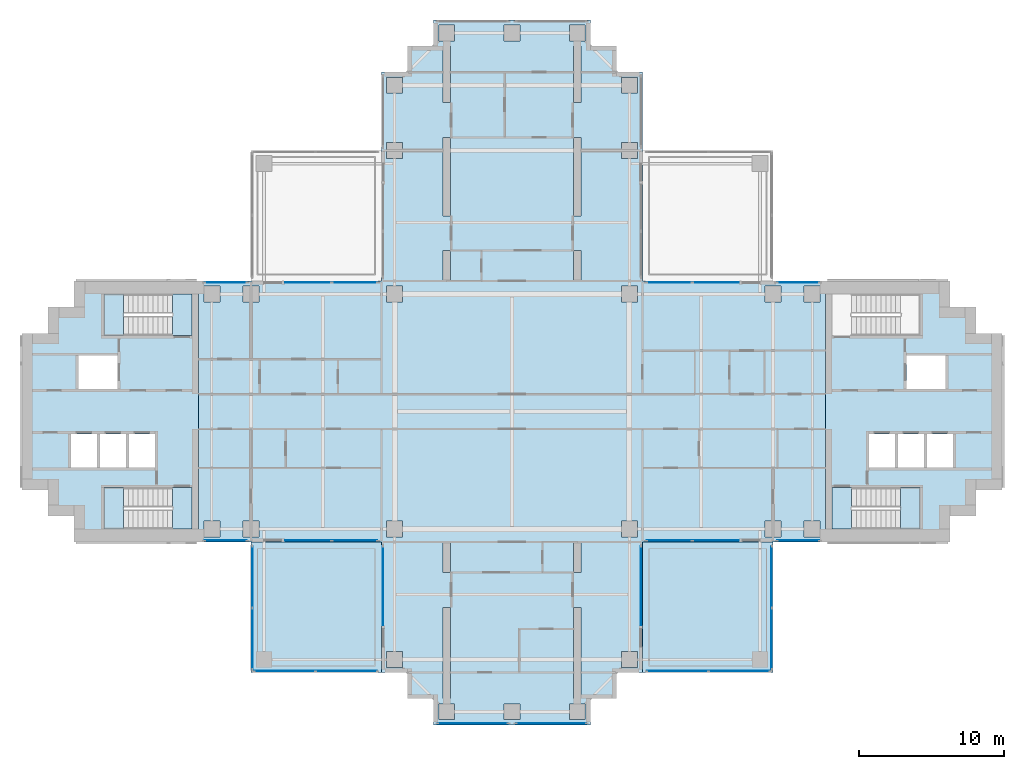
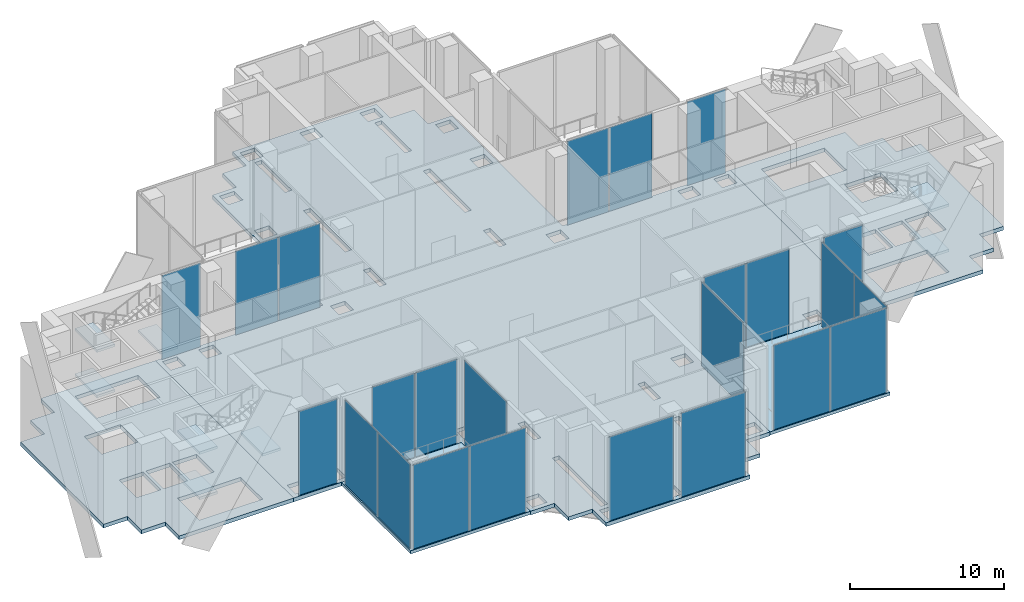
# One storey, part 7 of 17: 24 plates, 14 slabs, 19 elements without a shape of their own.
"""IFC4 building model written with IfcOpenShell, lengths in metres."""

from ifc_helpers import new_model, si_unit, direction, frame, origin, origin_2d, place, context, subcontext, project, spatial, polyline, rectangle, outline, extrude, material, layer, layer_set, type_object, element, aggregate, save


model = new_model("IFC4")

# Units and contexts
model_context = context("Model", 3, precision=1e-05, world=origin(), true_north=direction((0.0, 1.0)))
body_context = subcontext(model_context, "Body", "Model", "MODEL_VIEW")
ifc_project = project(units=[si_unit("LENGTHUNIT", "METRE"), si_unit("AREAUNIT", "SQUARE_METRE"), si_unit("VOLUMEUNIT", "CUBIC_METRE"), si_unit("PLANEANGLEUNIT", "RADIAN"), si_unit("MASSUNIT", "GRAM", prefix="KILO")], contexts=[model_context])

# Site, building, storey
site_placement = place(None, origin())
site = spatial("IfcSite", under=ifc_project, at=site_placement, CompositionType="ELEMENT")
building_placement = place(site_placement, origin())
building = spatial("IfcBuilding", under=site, at=building_placement, Name="Perihelion Cross Residences", CompositionType="ELEMENT")
storey_placement = place(building_placement, frame((0.0, 0.0, 154.89990234375)))
storey = spatial("IfcBuildingStorey", under=building, at=storey_placement, Name="L38", CompositionType="ELEMENT", Elevation=154.89990234375)

# Curtain wall, plate
ifc_material_1 = material(Name="Bronze anodised aluminium, tinted glazing", Category="aluminium")
curtain_wall_type_1 = type_object("IfcCurtainWallType", Name="CW3", PredefinedType="NOTDEFINED", material=ifc_material_1)
curtain_wall_1_placement = place(storey_placement, origin())
curtain_wall_1 = element("IfcCurtainWall", 1, at=curtain_wall_1_placement, inside=storey, type_object=curtain_wall_type_1, Name="Curtain wall CW3 L38 east side north bay 1", PredefinedType="NOTDEFINED")
ifc_material_2 = material(Name="Tinted laminated glass", Category="glass")
ifc_layer_1 = layer(ifc_material_2, 0.035888671875)
ifc_layer_set_1 = layer_set([ifc_layer_1], Name="CW3 panel")
plate_type_1 = type_object("IfcPlateType", Name="CW3 panel", PredefinedType="CURTAIN_PANEL", material=ifc_layer_set_1)
plate_1_placement = place(storey_placement, frame((19.72509765625, 8.89990234375, 0.000244140625), z_axis=(0.0, 0.0, 1.0), x_axis=(-1.0, 0.0, 0.0)))
plate_1 = element("IfcPlate", 2, at=plate_1_placement, type_object=plate_type_1, Name="CW3 panel 1", PredefinedType="CURTAIN_PANEL", context=body_context, shape_type="SweptSolid", body=[
    extrude(rectangle(XDim=2.889892578125, YDim=0.035888671875, at=origin_2d()), origin(), (0.0, 0.0, 1.0), 6.669921875),
])
aggregate(curtain_wall_1, [plate_1])

# Curtain wall, plates
curtain_wall_2_placement = place(storey_placement, origin())
curtain_wall_2 = element("IfcCurtainWall", 3, at=curtain_wall_2_placement, inside=storey, type_object=curtain_wall_type_1, Name="Curtain wall CW3 L38 east side north bay 2", PredefinedType="NOTDEFINED")
plate_2_placement = place(storey_placement, frame((14.0576171875, 8.89990234375, 0.000244140625), z_axis=(0.0, 0.0, 1.0), x_axis=(-1.0, 0.0, 0.0)))
plate_2 = element("IfcPlate", 4, at=plate_2_placement, type_object=plate_type_1, Name="CW3 panel 1", PredefinedType="CURTAIN_PANEL", context=body_context, shape_type="SweptSolid", body=[
    extrude(rectangle(XDim=3.18505859375, YDim=0.035888671875, at=origin_2d()), origin(), (0.0, 0.0, 1.0), 6.669921875),
])
plate_3_placement = place(storey_placement, frame((10.83251953125, 8.89990234375, 0.000244140625), z_axis=(0.0, 0.0, 1.0), x_axis=(-1.0, 0.0, 0.0)))
plate_3 = element("IfcPlate", 5, at=plate_3_placement, type_object=plate_type_1, Name="CW3 panel 2", PredefinedType="CURTAIN_PANEL", context=body_context, shape_type="SweptSolid", body=[
    extrude(rectangle(XDim=3.10498046875, YDim=0.035888671875, at=origin_2d()), origin(), (0.0, 0.0, 1.0), 6.669921875),
])
aggregate(curtain_wall_2, [plate_2, plate_3])

curtain_wall_3_placement = place(storey_placement, origin())
curtain_wall_3 = element("IfcCurtainWall", 6, at=curtain_wall_3_placement, inside=storey, type_object=curtain_wall_type_1, Name="Curtain wall CW3 L38 west side north bay 1", PredefinedType="NOTDEFINED")
plate_4_placement = place(storey_placement, frame((-10.83251953125, 8.89990234375, 0.000244140625), z_axis=(0.0, 0.0, 1.0), x_axis=(-1.0, 0.0, 0.0)))
plate_4 = element("IfcPlate", 7, at=plate_4_placement, type_object=plate_type_1, Name="CW3 panel 1", PredefinedType="CURTAIN_PANEL", context=body_context, shape_type="SweptSolid", body=[
    extrude(rectangle(XDim=3.10498046875, YDim=0.035888671875, at=origin_2d()), origin(), (0.0, 0.0, 1.0), 6.669921875),
])
plate_5_placement = place(storey_placement, frame((-14.0576171875, 8.89990234375, 0.000244140625), z_axis=(0.0, 0.0, 1.0), x_axis=(-1.0, 0.0, 0.0)))
plate_5 = element("IfcPlate", 8, at=plate_5_placement, type_object=plate_type_1, Name="CW3 panel 2", PredefinedType="CURTAIN_PANEL", context=body_context, shape_type="SweptSolid", body=[
    extrude(rectangle(XDim=3.18505859375, YDim=0.035888671875, at=origin_2d()), origin(), (0.0, 0.0, 1.0), 6.669921875),
])
aggregate(curtain_wall_3, [plate_4, plate_5])

# Curtain wall, plate
curtain_wall_4_placement = place(storey_placement, origin())
curtain_wall_4 = element("IfcCurtainWall", 9, at=curtain_wall_4_placement, inside=storey, type_object=curtain_wall_type_1, Name="Curtain wall CW3 L38 west side north bay 2", PredefinedType="NOTDEFINED")
plate_6_placement = place(storey_placement, frame((-19.72509765625, 8.89990234375, 0.000244140625), z_axis=(0.0, 0.0, 1.0), x_axis=(-1.0, 0.0, 0.0)))
plate_6 = element("IfcPlate", 10, at=plate_6_placement, type_object=plate_type_1, Name="CW3 panel 1", PredefinedType="CURTAIN_PANEL", context=body_context, shape_type="SweptSolid", body=[
    extrude(rectangle(XDim=2.889892578125, YDim=0.035888671875, at=origin_2d()), origin(), (0.0, 0.0, 1.0), 6.669921875),
])
aggregate(curtain_wall_4, [plate_6])

curtain_wall_5_placement = place(storey_placement, origin())
curtain_wall_5 = element("IfcCurtainWall", 11, at=curtain_wall_5_placement, inside=storey, type_object=curtain_wall_type_1, Name="Curtain wall CW3 L38 west side south bay 1", PredefinedType="NOTDEFINED")
plate_7_placement = place(storey_placement, frame((-19.72509765625, -8.89990234375, 0.000244140625), z_axis=(0.0, 0.0, 1.0), x_axis=(1.0, 0.0, 0.0)))
plate_7 = element("IfcPlate", 12, at=plate_7_placement, type_object=plate_type_1, Name="CW3 panel 1", PredefinedType="CURTAIN_PANEL", context=body_context, shape_type="SweptSolid", body=[
    extrude(rectangle(XDim=2.889892578125, YDim=0.035888671875, at=origin_2d()), origin(), (0.0, 0.0, 1.0), 6.669921875),
])
aggregate(curtain_wall_5, [plate_7])

# Curtain wall, plates
curtain_wall_6_placement = place(storey_placement, origin())
curtain_wall_6 = element("IfcCurtainWall", 13, at=curtain_wall_6_placement, inside=storey, type_object=curtain_wall_type_1, Name="Curtain wall CW3 L38 west side south bay 2", PredefinedType="NOTDEFINED")
plate_8_placement = place(storey_placement, frame((-14.0576171875, -8.89990234375, 0.000244140625), z_axis=(0.0, 0.0, 1.0), x_axis=(1.0, 0.0, 0.0)))
plate_8 = element("IfcPlate", 14, at=plate_8_placement, type_object=plate_type_1, Name="CW3 panel 1", PredefinedType="CURTAIN_PANEL", context=body_context, shape_type="SweptSolid", body=[
    extrude(rectangle(XDim=3.18505859375, YDim=0.035888671875, at=origin_2d()), origin(), (0.0, 0.0, 1.0), 6.669921875),
])
plate_9_placement = place(storey_placement, frame((-10.83251953125, -8.89990234375, 0.000244140625), z_axis=(0.0, 0.0, 1.0), x_axis=(1.0, 0.0, 0.0)))
plate_9 = element("IfcPlate", 15, at=plate_9_placement, type_object=plate_type_1, Name="CW3 panel 2", PredefinedType="CURTAIN_PANEL", context=body_context, shape_type="SweptSolid", body=[
    extrude(rectangle(XDim=3.10498046875, YDim=0.035888671875, at=origin_2d()), origin(), (0.0, 0.0, 1.0), 6.669921875),
])
aggregate(curtain_wall_6, [plate_8, plate_9])

# Curtain wall, plate
curtain_wall_7_placement = place(storey_placement, origin())
curtain_wall_7 = element("IfcCurtainWall", 16, at=curtain_wall_7_placement, inside=storey, type_object=curtain_wall_type_1, Name="Curtain wall CW3 L38 south side west bay 1", PredefinedType="NOTDEFINED")
plate_10_placement = place(storey_placement, frame((-8.89990234375, -12.014892578125, 0.000244140625), z_axis=(0.0, 0.0, 1.0), x_axis=(0.0, -1.0, 0.0)))
plate_10 = element("IfcPlate", 17, at=plate_10_placement, type_object=plate_type_1, Name="CW3 panel 1", PredefinedType="CURTAIN_PANEL", context=body_context, shape_type="SweptSolid", body=[
    extrude(rectangle(XDim=5.469970703125, YDim=0.035888671875, at=origin_2d()), origin(), (0.0, 0.0, 1.0), 6.669921875),
])
aggregate(curtain_wall_7, [plate_10])

curtain_wall_8_placement = place(storey_placement, origin())
curtain_wall_8 = element("IfcCurtainWall", 18, at=curtain_wall_8_placement, inside=storey, type_object=curtain_wall_type_1, Name="Curtain wall CW3 L38 south tip south bay 1", PredefinedType="NOTDEFINED")
plate_11_placement = place(storey_placement, frame((-2.699951171875, -21.5, 0.000244140625), z_axis=(0.0, 0.0, 1.0), x_axis=(1.0, 0.0, 0.0)))
plate_11 = element("IfcPlate", 19, at=plate_11_placement, type_object=plate_type_1, Name="CW3 panel 1", PredefinedType="CURTAIN_PANEL", context=body_context, shape_type="SweptSolid", body=[
    extrude(rectangle(XDim=4.840087890625, YDim=0.035888671875, at=origin_2d()), origin(), (0.0, 0.0, 1.0), 6.669921875),
])
aggregate(curtain_wall_8, [plate_11])

curtain_wall_9_placement = place(storey_placement, origin())
curtain_wall_9 = element("IfcCurtainWall", 20, at=curtain_wall_9_placement, inside=storey, type_object=curtain_wall_type_1, Name="Curtain wall CW3 L38 south tip south bay 2", PredefinedType="NOTDEFINED")
plate_12_placement = place(storey_placement, frame((2.699951171875, -21.5, 0.000244140625), z_axis=(0.0, 0.0, 1.0), x_axis=(1.0, 0.0, 0.0)))
plate_12 = element("IfcPlate", 21, at=plate_12_placement, type_object=plate_type_1, Name="CW3 panel 1", PredefinedType="CURTAIN_PANEL", context=body_context, shape_type="SweptSolid", body=[
    extrude(rectangle(XDim=4.840087890625, YDim=0.035888671875, at=origin_2d()), origin(), (0.0, 0.0, 1.0), 6.669921875),
])
aggregate(curtain_wall_9, [plate_12])

curtain_wall_10_placement = place(storey_placement, origin())
curtain_wall_10 = element("IfcCurtainWall", 22, at=curtain_wall_10_placement, inside=storey, type_object=curtain_wall_type_1, Name="Curtain wall CW3 L38 south side east bay 1", PredefinedType="NOTDEFINED")
plate_13_placement = place(storey_placement, frame((8.89990234375, -12.014892578125, 0.000244140625), z_axis=(0.0, 0.0, 1.0), x_axis=(0.0, 1.0, 0.0)))
plate_13 = element("IfcPlate", 23, at=plate_13_placement, type_object=plate_type_1, Name="CW3 panel 1", PredefinedType="CURTAIN_PANEL", context=body_context, shape_type="SweptSolid", body=[
    extrude(rectangle(XDim=5.469970703125, YDim=0.035888671875, at=origin_2d()), origin(), (0.0, 0.0, 1.0), 6.669921875),
])
aggregate(curtain_wall_10, [plate_13])

# Curtain wall, plates
curtain_wall_11_placement = place(storey_placement, origin())
curtain_wall_11 = element("IfcCurtainWall", 24, at=curtain_wall_11_placement, inside=storey, type_object=curtain_wall_type_1, Name="Curtain wall CW3 L38 east side south bay 1", PredefinedType="NOTDEFINED")
plate_14_placement = place(storey_placement, frame((10.83251953125, -8.89990234375, 0.000244140625), z_axis=(0.0, 0.0, 1.0), x_axis=(1.0, 0.0, 0.0)))
plate_14 = element("IfcPlate", 25, at=plate_14_placement, type_object=plate_type_1, Name="CW3 panel 1", PredefinedType="CURTAIN_PANEL", context=body_context, shape_type="SweptSolid", body=[
    extrude(rectangle(XDim=3.10498046875, YDim=0.035888671875, at=origin_2d()), origin(), (0.0, 0.0, 1.0), 6.669921875),
])
plate_15_placement = place(storey_placement, frame((14.0576171875, -8.89990234375, 0.000244140625), z_axis=(0.0, 0.0, 1.0), x_axis=(1.0, 0.0, 0.0)))
plate_15 = element("IfcPlate", 26, at=plate_15_placement, type_object=plate_type_1, Name="CW3 panel 2", PredefinedType="CURTAIN_PANEL", context=body_context, shape_type="SweptSolid", body=[
    extrude(rectangle(XDim=3.18505859375, YDim=0.035888671875, at=origin_2d()), origin(), (0.0, 0.0, 1.0), 6.669921875),
])
aggregate(curtain_wall_11, [plate_14, plate_15])

# Curtain wall, plate
curtain_wall_12_placement = place(storey_placement, origin())
curtain_wall_12 = element("IfcCurtainWall", 27, at=curtain_wall_12_placement, inside=storey, type_object=curtain_wall_type_1, Name="Curtain wall CW3 L38 east side south bay 2", PredefinedType="NOTDEFINED")
plate_16_placement = place(storey_placement, frame((19.72509765625, -8.89990234375, 0.000244140625), z_axis=(0.0, 0.0, 1.0), x_axis=(1.0, 0.0, 0.0)))
plate_16 = element("IfcPlate", 28, at=plate_16_placement, type_object=plate_type_1, Name="CW3 panel 1", PredefinedType="CURTAIN_PANEL", context=body_context, shape_type="SweptSolid", body=[
    extrude(rectangle(XDim=2.889892578125, YDim=0.035888671875, at=origin_2d()), origin(), (0.0, 0.0, 1.0), 6.669921875),
])
aggregate(curtain_wall_12, [plate_16])

# Curtain wall, plates
ifc_material_3 = material(Name="Bronze anodised aluminium, tinted glazing", Category="aluminium")
curtain_wall_type_2 = type_object("IfcCurtainWallType", Name="CW4", PredefinedType="NOTDEFINED", material=ifc_material_3)
curtain_wall_13_placement = place(storey_placement, origin())
curtain_wall_13 = element("IfcCurtainWall", 29, at=curtain_wall_13_placement, inside=storey, type_object=curtain_wall_type_2, Name="Curtain wall CW4 L38 pocket south-east 1 1", PredefinedType="NOTDEFINED")
ifc_material_4 = material(Name="Tinted laminated glass", Category="glass")
ifc_layer_2 = layer(ifc_material_4, 0.030029296875)
ifc_layer_set_2 = layer_set([ifc_layer_2], Name="CW4 panel")
plate_type_2 = type_object("IfcPlateType", Name="CW4 panel", PredefinedType="CURTAIN_PANEL", material=ifc_layer_set_2)
plate_17_placement = place(storey_placement, frame((17.89990234375, -11.409912109375, 0.000244140625), z_axis=(0.0, 0.0, 1.0), x_axis=(0.0, -1.0, 0.0)))
plate_17 = element("IfcPlate", 30, at=plate_17_placement, type_object=plate_type_2, Name="CW4 panel 1", PredefinedType="CURTAIN_PANEL", context=body_context, shape_type="SweptSolid", body=[
    extrude(rectangle(XDim=4.199951171875, YDim=0.030029296875, at=origin_2d()), origin(), (0.0, 0.0, 1.0), 6.68994140625),
])
plate_18_placement = place(storey_placement, frame((17.89990234375, -15.669921875, 0.000244140625), z_axis=(0.0, 0.0, 1.0), x_axis=(0.0, -1.0, 0.0)))
plate_18 = element("IfcPlate", 31, at=plate_18_placement, type_object=plate_type_2, Name="CW4 panel 2", PredefinedType="CURTAIN_PANEL", context=body_context, shape_type="SweptSolid", body=[
    extrude(rectangle(XDim=4.199951171875, YDim=0.030029296875, at=origin_2d()), origin(), (0.0, 0.0, 1.0), 6.68994140625),
])
aggregate(curtain_wall_13, [plate_17, plate_18])

curtain_wall_14_placement = place(storey_placement, origin())
curtain_wall_14 = element("IfcCurtainWall", 32, at=curtain_wall_14_placement, inside=storey, type_object=curtain_wall_type_2, Name="Curtain wall CW4 L38 pocket south-east 1 2", PredefinedType="NOTDEFINED")
plate_19_placement = place(storey_placement, frame((15.669921875, -17.89990234375, 0.000244140625), z_axis=(0.0, 0.0, 1.0), x_axis=(-1.0, 0.0, 0.0)))
plate_19 = element("IfcPlate", 33, at=plate_19_placement, type_object=plate_type_2, Name="CW4 panel 1", PredefinedType="CURTAIN_PANEL", context=body_context, shape_type="SweptSolid", body=[
    extrude(rectangle(XDim=4.199951171875, YDim=0.030029296875, at=origin_2d()), origin(), (0.0, 0.0, 1.0), 6.68994140625),
])
plate_20_placement = place(storey_placement, frame((11.409912109375, -17.89990234375, 0.000244140625), z_axis=(0.0, 0.0, 1.0), x_axis=(-1.0, 0.0, 0.0)))
plate_20 = element("IfcPlate", 34, at=plate_20_placement, type_object=plate_type_2, Name="CW4 panel 2", PredefinedType="CURTAIN_PANEL", context=body_context, shape_type="SweptSolid", body=[
    extrude(rectangle(XDim=4.199951171875, YDim=0.030029296875, at=origin_2d()), origin(), (0.0, 0.0, 1.0), 6.68994140625),
])
aggregate(curtain_wall_14, [plate_19, plate_20])

curtain_wall_15_placement = place(storey_placement, origin())
curtain_wall_15 = element("IfcCurtainWall", 35, at=curtain_wall_15_placement, inside=storey, type_object=curtain_wall_type_2, Name="Curtain wall CW4 L38 pocket south-west 1 1", PredefinedType="NOTDEFINED")
plate_21_placement = place(storey_placement, frame((-11.409912109375, -17.89990234375, 0.000244140625), z_axis=(0.0, 0.0, 1.0), x_axis=(-1.0, 0.0, 0.0)))
plate_21 = element("IfcPlate", 36, at=plate_21_placement, type_object=plate_type_2, Name="CW4 panel 1", PredefinedType="CURTAIN_PANEL", context=body_context, shape_type="SweptSolid", body=[
    extrude(rectangle(XDim=4.199951171875, YDim=0.030029296875, at=origin_2d()), origin(), (0.0, 0.0, 1.0), 6.68994140625),
])
plate_22_placement = place(storey_placement, frame((-15.669921875, -17.89990234375, 0.000244140625), z_axis=(0.0, 0.0, 1.0), x_axis=(-1.0, 0.0, 0.0)))
plate_22 = element("IfcPlate", 37, at=plate_22_placement, type_object=plate_type_2, Name="CW4 panel 2", PredefinedType="CURTAIN_PANEL", context=body_context, shape_type="SweptSolid", body=[
    extrude(rectangle(XDim=4.199951171875, YDim=0.030029296875, at=origin_2d()), origin(), (0.0, 0.0, 1.0), 6.68994140625),
])
aggregate(curtain_wall_15, [plate_21, plate_22])

curtain_wall_16_placement = place(storey_placement, origin())
curtain_wall_16 = element("IfcCurtainWall", 38, at=curtain_wall_16_placement, inside=storey, type_object=curtain_wall_type_2, Name="Curtain wall CW4 L38 pocket south-west 1 2", PredefinedType="NOTDEFINED")
plate_23_placement = place(storey_placement, frame((-17.89990234375, -15.669921875, 0.000244140625), z_axis=(0.0, 0.0, 1.0), x_axis=(0.0, 1.0, 0.0)))
plate_23 = element("IfcPlate", 39, at=plate_23_placement, type_object=plate_type_2, Name="CW4 panel 1", PredefinedType="CURTAIN_PANEL", context=body_context, shape_type="SweptSolid", body=[
    extrude(rectangle(XDim=4.199951171875, YDim=0.030029296875, at=origin_2d()), origin(), (0.0, 0.0, 1.0), 6.68994140625),
])
plate_24_placement = place(storey_placement, frame((-17.89990234375, -11.409912109375, 0.000244140625), z_axis=(0.0, 0.0, 1.0), x_axis=(0.0, 1.0, 0.0)))
plate_24 = element("IfcPlate", 40, at=plate_24_placement, type_object=plate_type_2, Name="CW4 panel 2", PredefinedType="CURTAIN_PANEL", context=body_context, shape_type="SweptSolid", body=[
    extrude(rectangle(XDim=4.199951171875, YDim=0.030029296875, at=origin_2d()), origin(), (0.0, 0.0, 1.0), 6.68994140625),
])
aggregate(curtain_wall_16, [plate_23, plate_24])

# Slabs
ifc_material_5 = material(Name="Concrete C40/50", Category="concrete")
ifc_layer_3 = layer(ifc_material_5, 0.300048828125)
ifc_layer_set_3 = layer_set([ifc_layer_3], Name="Core floor slab 300")
slab_type_1 = type_object("IfcSlabType", Name="Core floor slab 300", PredefinedType="FLOOR", material=ifc_layer_set_3)
slab_1_placement = place(storey_placement, frame((0.0, 0.0, -0.2998046875)))
element("IfcSlab", 41, at=slab_1_placement, inside=storey, type_object=slab_type_1, Name="East core floor slab", PredefinedType="FLOOR", context=body_context, shape_type="SweptSolid", body=[
    extrude(outline(polyline([(30.199951171875, 7.199951171875), (32.0, 7.199951171875), (32.0, 5.39990234375), (33.800048828125, 5.39990234375), (33.800048828125, -5.39990234375), (32.0, -5.39990234375), (32.0, -7.199951171875), (30.199951171875, -7.199951171875), (30.199951171875, -9.0), (21.60009765625, -9.0), (21.60009765625, 9.0), (30.199951171875, 9.0), (30.199951171875, 7.199951171875)]), holes=[polyline([(28.14990234375, -8.10009765625), (28.14990234375, -5.25), (23.405029296875, -5.25), (23.405029296875, -8.10009765625), (28.14990234375, -8.10009765625)]), polyline([(24.60009765625, -1.550048828125), (24.60009765625, -3.85009765625), (26.39990234375, -3.85009765625), (26.39990234375, -1.550048828125), (24.60009765625, -1.550048828125)]), polyline([(26.60009765625, -1.550048828125), (26.60009765625, -3.85009765625), (28.39990234375, -3.85009765625), (28.39990234375, -1.550048828125), (26.60009765625, -1.550048828125)]), polyline([(28.60009765625, -3.85009765625), (30.39990234375, -3.85009765625), (30.39990234375, -1.550048828125), (28.60009765625, -1.550048828125), (28.60009765625, -3.85009765625)]), polyline([(27.199951171875, 3.85009765625), (27.199951171875, 1.550048828125), (29.89990234375, 1.550048828125), (29.89990234375, 3.85009765625), (27.199951171875, 3.85009765625)]), polyline([(23.405029296875, 5.25), (28.14990234375, 5.25), (28.14990234375, 8.10009765625), (23.405029296875, 8.10009765625), (23.405029296875, 5.25)])]), origin(), (0.0, 0.0, 1.0), 0.2998046875),
])
slab_2_placement = place(storey_placement, frame((0.0, 0.0, -0.2998046875)))
element("IfcSlab", 42, at=slab_2_placement, inside=storey, type_object=slab_type_1, Name="West core floor slab", PredefinedType="FLOOR", context=body_context, shape_type="SweptSolid", body=[
    extrude(outline(polyline([(-30.199951171875, 7.199951171875), (-32.0, 7.199951171875), (-32.0, 5.39990234375), (-33.800048828125, 5.39990234375), (-33.800048828125, -5.39990234375), (-32.0, -5.39990234375), (-32.0, -7.199951171875), (-30.199951171875, -7.199951171875), (-30.199951171875, -9.0), (-21.60009765625, -9.0), (-21.60009765625, 9.0), (-30.199951171875, 9.0), (-30.199951171875, 7.199951171875)]), holes=[polyline([(-28.14990234375, -8.10009765625), (-28.14990234375, -5.25), (-23.405029296875, -5.25), (-23.405029296875, -8.10009765625), (-28.14990234375, -8.10009765625)]), polyline([(-24.60009765625, -1.550048828125), (-24.60009765625, -3.85009765625), (-26.39990234375, -3.85009765625), (-26.39990234375, -1.550048828125), (-24.60009765625, -1.550048828125)]), polyline([(-26.60009765625, -1.550048828125), (-26.60009765625, -3.85009765625), (-28.39990234375, -3.85009765625), (-28.39990234375, -1.550048828125), (-26.60009765625, -1.550048828125)]), polyline([(-28.60009765625, -3.85009765625), (-30.39990234375, -3.85009765625), (-30.39990234375, -1.550048828125), (-28.60009765625, -1.550048828125), (-28.60009765625, -3.85009765625)]), polyline([(-27.199951171875, 3.85009765625), (-27.199951171875, 1.550048828125), (-29.89990234375, 1.550048828125), (-29.89990234375, 3.85009765625), (-27.199951171875, 3.85009765625)]), polyline([(-23.405029296875, 5.25), (-28.14990234375, 5.25), (-28.14990234375, 8.10009765625), (-23.405029296875, 8.10009765625), (-23.405029296875, 5.25)])]), origin(), (0.0, 0.0, 1.0), 0.2998046875),
])

# Stair, slabs
ifc_material_6 = material(Name="Concrete C40/50", Category="concrete")
stair_type = type_object("IfcStairType", Name="Exit stair, half-turn", PredefinedType="HALF_TURN_STAIR", material=ifc_material_6)
stair_1_placement = place(storey_placement, origin())
stair_1 = element("IfcStair", 43, at=stair_1_placement, inside=storey, type_object=stair_type, Name="L38 East core exit stair 2", PredefinedType="HALF_TURN_STAIR")
ifc_material_7 = material(Name="Concrete C40/50", Category="concrete")
ifc_layer_4 = layer(ifc_material_7, 0.199951171875)
ifc_layer_set_4 = layer_set([ifc_layer_4], Name="Exit stair landing 200")
slab_type_2 = type_object("IfcSlabType", Name="Exit stair landing 200", PredefinedType="LANDING", material=ifc_layer_set_4)
slab_3_placement = place(storey_placement, frame((0.0, 0.0, 1.60009765625)))
slab_3 = element("IfcSlab", 44, at=slab_3_placement, type_object=slab_type_2, Name="ST-E2 landing 1", PredefinedType="LANDING", context=body_context, shape_type="SweptSolid", body=[
    extrude(outline(polyline([(26.800048828125, -8.10009765625), (28.14990234375, -8.10009765625), (28.14990234375, -5.25), (26.800048828125, -5.25), (26.800048828125, -8.10009765625)])), origin(), (0.0, 0.0, 1.0), 0.199951171875),
])
slab_4_placement = place(storey_placement, frame((0.0, 0.0, 3.400146484375)))
slab_4 = element("IfcSlab", 45, at=slab_4_placement, type_object=slab_type_2, Name="ST-E2 landing 2", PredefinedType="LANDING", context=body_context, shape_type="SweptSolid", body=[
    extrude(outline(polyline([(22.050048828125, -8.10009765625), (23.39990234375, -8.10009765625), (23.39990234375, -5.25), (22.050048828125, -5.25), (22.050048828125, -8.10009765625)])), origin(), (0.0, 0.0, 1.0), 0.199951171875),
])
slab_5_placement = place(storey_placement, frame((0.0, 0.0, 5.2001953125)))
slab_5 = element("IfcSlab", 46, at=slab_5_placement, type_object=slab_type_2, Name="ST-E2 landing 3", PredefinedType="LANDING", context=body_context, shape_type="SweptSolid", body=[
    extrude(outline(polyline([(26.800048828125, -8.10009765625), (28.14990234375, -8.10009765625), (28.14990234375, -5.25), (26.800048828125, -5.25), (26.800048828125, -8.10009765625)])), origin(), (0.0, 0.0, 1.0), 0.199951171875),
])
aggregate(stair_1, [slab_3, slab_4, slab_5])

stair_2_placement = place(storey_placement, origin())
stair_2 = element("IfcStair", 47, at=stair_2_placement, inside=storey, type_object=stair_type, Name="L38 West core exit stair 1", PredefinedType="HALF_TURN_STAIR")
slab_6_placement = place(storey_placement, frame((0.0, 0.0, 1.60009765625)))
slab_6 = element("IfcSlab", 48, at=slab_6_placement, type_object=slab_type_2, Name="ST-W1 landing 1", PredefinedType="LANDING", context=body_context, shape_type="SweptSolid", body=[
    extrude(outline(polyline([(-26.800048828125, 8.10009765625), (-28.14990234375, 8.10009765625), (-28.14990234375, 5.25), (-26.800048828125, 5.25), (-26.800048828125, 8.10009765625)])), origin(), (0.0, 0.0, 1.0), 0.199951171875),
])
slab_7_placement = place(storey_placement, frame((0.0, 0.0, 3.400146484375)))
slab_7 = element("IfcSlab", 49, at=slab_7_placement, type_object=slab_type_2, Name="ST-W1 landing 2", PredefinedType="LANDING", context=body_context, shape_type="SweptSolid", body=[
    extrude(outline(polyline([(-22.050048828125, 8.10009765625), (-23.39990234375, 8.10009765625), (-23.39990234375, 5.25), (-22.050048828125, 5.25), (-22.050048828125, 8.10009765625)])), origin(), (0.0, 0.0, 1.0), 0.199951171875),
])
slab_8_placement = place(storey_placement, frame((0.0, 0.0, 5.2001953125)))
slab_8 = element("IfcSlab", 50, at=slab_8_placement, type_object=slab_type_2, Name="ST-W1 landing 3", PredefinedType="LANDING", context=body_context, shape_type="SweptSolid", body=[
    extrude(outline(polyline([(-26.800048828125, 8.10009765625), (-28.14990234375, 8.10009765625), (-28.14990234375, 5.25), (-26.800048828125, 5.25), (-26.800048828125, 8.10009765625)])), origin(), (0.0, 0.0, 1.0), 0.199951171875),
])
aggregate(stair_2, [slab_6, slab_7, slab_8])

stair_3_placement = place(storey_placement, origin())
stair_3 = element("IfcStair", 51, at=stair_3_placement, inside=storey, type_object=stair_type, Name="L38 West core exit stair 2", PredefinedType="HALF_TURN_STAIR")
slab_9_placement = place(storey_placement, frame((0.0, 0.0, 1.60009765625)))
slab_9 = element("IfcSlab", 52, at=slab_9_placement, type_object=slab_type_2, Name="ST-W2 landing 1", PredefinedType="LANDING", context=body_context, shape_type="SweptSolid", body=[
    extrude(outline(polyline([(-26.800048828125, -5.25), (-28.14990234375, -5.25), (-28.14990234375, -8.10009765625), (-26.800048828125, -8.10009765625), (-26.800048828125, -5.25)])), origin(), (0.0, 0.0, 1.0), 0.199951171875),
])
slab_10_placement = place(storey_placement, frame((0.0, 0.0, 3.400146484375)))
slab_10 = element("IfcSlab", 53, at=slab_10_placement, type_object=slab_type_2, Name="ST-W2 landing 2", PredefinedType="LANDING", context=body_context, shape_type="SweptSolid", body=[
    extrude(outline(polyline([(-22.050048828125, -5.25), (-23.39990234375, -5.25), (-23.39990234375, -8.10009765625), (-22.050048828125, -8.10009765625), (-22.050048828125, -5.25)])), origin(), (0.0, 0.0, 1.0), 0.199951171875),
])
slab_11_placement = place(storey_placement, frame((0.0, 0.0, 5.2001953125)))
slab_11 = element("IfcSlab", 54, at=slab_11_placement, type_object=slab_type_2, Name="ST-W2 landing 3", PredefinedType="LANDING", context=body_context, shape_type="SweptSolid", body=[
    extrude(outline(polyline([(-26.800048828125, -5.25), (-28.14990234375, -5.25), (-28.14990234375, -8.10009765625), (-26.800048828125, -8.10009765625), (-26.800048828125, -5.25)])), origin(), (0.0, 0.0, 1.0), 0.199951171875),
])
aggregate(stair_3, [slab_9, slab_10, slab_11])

# Slabs
ifc_material_8 = material(Name="Concrete C50/60", Category="concrete")
ifc_layer_5 = layer(ifc_material_8, 0.300048828125)
ifc_layer_set_5 = layer_set([ifc_layer_5], Name="Sky floor post-tensioned slab concrete C50/60")
slab_type_3 = type_object("IfcSlabType", Name="Sky floor post-tensioned slab concrete C50/60", PredefinedType="FLOOR", material=ifc_layer_set_5)
slab_12_placement = place(storey_placement, frame((0.0, 0.0, -0.2998046875)))
element("IfcSlab", 55, at=slab_12_placement, inside=storey, type_object=slab_type_3, Name="Slab SL9 L38 1 no. 1", PredefinedType="FLOOR", context=body_context, shape_type="SweptSolid", body=[
    extrude(outline(polyline([(-9.0, 9.0), (-9.0, 23.39990234375), (-7.199951171875, 23.39990234375), (-7.199951171875, 25.199951171875), (-5.39990234375, 25.199951171875), (-5.39990234375, 27.0), (5.39990234375, 27.0), (5.39990234375, 25.199951171875), (7.199951171875, 25.199951171875), (7.199951171875, 23.39990234375), (9.0, 23.39990234375), (9.0, 9.0), (21.60009765625, 9.0), (21.60009765625, -9.0), (9.0, -9.0), (9.0, -18.0), (7.199951171875, -18.0), (7.199951171875, -19.800048828125), (5.39990234375, -19.800048828125), (5.39990234375, -21.60009765625), (-5.39990234375, -21.60009765625), (-5.39990234375, -19.800048828125), (-7.199951171875, -19.800048828125), (-7.199951171875, -18.0), (-9.0, -18.0), (-9.0, -9.0), (-21.60009765625, -9.0), (-21.60009765625, 9.0), (-9.0, 9.0)]), holes=[polyline([(0.550048828125, -21.25), (0.550048828125, -20.14990234375), (-0.550048828125, -20.14990234375), (-0.550048828125, -21.25), (0.550048828125, -21.25)]), polyline([(-3.949951171875, -21.25), (-3.949951171875, -20.14990234375), (-5.050048828125, -20.14990234375), (-5.050048828125, -21.25), (-3.949951171875, -21.25)]), polyline([(-7.550048828125, -17.64990234375), (-7.550048828125, -16.550048828125), (-8.64990234375, -16.550048828125), (-8.64990234375, -17.64990234375), (-7.550048828125, -17.64990234375)]), polyline([(-4.25, -19.800048828125), (-4.25, -13.5), (-4.75, -13.5), (-4.75, -19.800048828125), (-4.25, -19.800048828125)]), polyline([(-4.25, -11.10009765625), (-4.25, -9.0), (-4.75, -9.0), (-4.75, -11.10009765625), (-4.25, -11.10009765625)]), polyline([(-20.14990234375, -8.64990234375), (-20.14990234375, -7.550048828125), (-21.25, -7.550048828125), (-21.25, -8.64990234375), (-20.14990234375, -8.64990234375)]), polyline([(-7.550048828125, -8.64990234375), (-7.550048828125, -7.550048828125), (-8.64990234375, -7.550048828125), (-8.64990234375, -8.64990234375), (-7.550048828125, -8.64990234375)]), polyline([(-18.550048828125, -8.64990234375), (-17.449951171875, -8.64990234375), (-17.449951171875, -7.550048828125), (-18.550048828125, -7.550048828125), (-18.550048828125, -8.64990234375)]), polyline([(-7.550048828125, 7.550048828125), (-7.550048828125, 8.64990234375), (-8.64990234375, 8.64990234375), (-8.64990234375, 7.550048828125), (-7.550048828125, 7.550048828125)]), polyline([(-17.449951171875, 7.550048828125), (-17.449951171875, 8.64990234375), (-18.550048828125, 8.64990234375), (-18.550048828125, 7.550048828125), (-17.449951171875, 7.550048828125)]), polyline([(-20.14990234375, 7.550048828125), (-20.14990234375, 8.64990234375), (-21.25, 8.64990234375), (-21.25, 7.550048828125), (-20.14990234375, 7.550048828125)]), polyline([(-4.25, 9.0), (-4.25, 11.10009765625), (-4.75, 11.10009765625), (-4.75, 9.0), (-4.25, 9.0)]), polyline([(-4.25, 13.5), (-4.25, 18.89990234375), (-4.75, 18.89990234375), (-4.75, 13.5), (-4.25, 13.5)]), polyline([(-7.550048828125, 17.449951171875), (-7.550048828125, 18.550048828125), (-8.64990234375, 18.550048828125), (-8.64990234375, 17.449951171875), (-7.550048828125, 17.449951171875)]), polyline([(-7.550048828125, 21.949951171875), (-7.550048828125, 23.050048828125), (-8.64990234375, 23.050048828125), (-8.64990234375, 21.949951171875), (-7.550048828125, 21.949951171875)]), polyline([(-4.75, 21.300048828125), (-4.25, 21.300048828125), (-4.25, 25.199951171875), (-4.75, 25.199951171875), (-4.75, 21.300048828125)]), polyline([(-5.050048828125, 25.550048828125), (-3.949951171875, 25.550048828125), (-3.949951171875, 26.64990234375), (-5.050048828125, 26.64990234375), (-5.050048828125, 25.550048828125)]), polyline([(5.050048828125, -21.25), (5.050048828125, -20.14990234375), (3.949951171875, -20.14990234375), (3.949951171875, -21.25), (5.050048828125, -21.25)]), polyline([(8.64990234375, -17.64990234375), (8.64990234375, -16.550048828125), (7.550048828125, -16.550048828125), (7.550048828125, -17.64990234375), (8.64990234375, -17.64990234375)]), polyline([(4.75, -19.800048828125), (4.75, -13.5), (4.25, -13.5), (4.25, -19.800048828125), (4.75, -19.800048828125)]), polyline([(4.75, -11.10009765625), (4.75, -9.0), (4.25, -9.0), (4.25, -11.10009765625), (4.75, -11.10009765625)]), polyline([(21.25, -8.64990234375), (21.25, -7.550048828125), (20.14990234375, -7.550048828125), (20.14990234375, -8.64990234375), (21.25, -8.64990234375)]), polyline([(18.550048828125, -8.64990234375), (18.550048828125, -7.550048828125), (17.449951171875, -7.550048828125), (17.449951171875, -8.64990234375), (18.550048828125, -8.64990234375)]), polyline([(8.64990234375, -8.64990234375), (8.64990234375, -7.550048828125), (7.550048828125, -7.550048828125), (7.550048828125, -8.64990234375), (8.64990234375, -8.64990234375)]), polyline([(7.550048828125, 7.550048828125), (8.64990234375, 7.550048828125), (8.64990234375, 8.64990234375), (7.550048828125, 8.64990234375), (7.550048828125, 7.550048828125)]), polyline([(18.550048828125, 7.550048828125), (18.550048828125, 8.64990234375), (17.449951171875, 8.64990234375), (17.449951171875, 7.550048828125), (18.550048828125, 7.550048828125)]), polyline([(21.25, 7.550048828125), (21.25, 8.64990234375), (20.14990234375, 8.64990234375), (20.14990234375, 7.550048828125), (21.25, 7.550048828125)]), polyline([(4.75, 9.0), (4.75, 11.10009765625), (4.25, 11.10009765625), (4.25, 9.0), (4.75, 9.0)]), polyline([(4.75, 13.5), (4.75, 18.89990234375), (4.25, 18.89990234375), (4.25, 13.5), (4.75, 13.5)]), polyline([(8.64990234375, 17.449951171875), (8.64990234375, 18.550048828125), (7.550048828125, 18.550048828125), (7.550048828125, 17.449951171875), (8.64990234375, 17.449951171875)]), polyline([(8.64990234375, 21.949951171875), (8.64990234375, 23.050048828125), (7.550048828125, 23.050048828125), (7.550048828125, 21.949951171875), (8.64990234375, 21.949951171875)]), polyline([(4.75, 21.300048828125), (4.75, 25.199951171875), (4.25, 25.199951171875), (4.25, 21.300048828125), (4.75, 21.300048828125)]), polyline([(3.949951171875, 25.550048828125), (5.050048828125, 25.550048828125), (5.050048828125, 26.64990234375), (3.949951171875, 26.64990234375), (3.949951171875, 25.550048828125)]), polyline([(-0.550048828125, 25.550048828125), (0.550048828125, 25.550048828125), (0.550048828125, 26.64990234375), (-0.550048828125, 26.64990234375), (-0.550048828125, 25.550048828125)])]), origin(), (0.0, 0.0, 1.0), 0.2998046875),
])
ifc_material_9 = material(Name="Concrete C40/50", Category="concrete")
ifc_layer_6 = layer(ifc_material_9, 0.25)
ifc_layer_set_6 = layer_set([ifc_layer_6], Name="Winter garden slab")
slab_type_4 = type_object("IfcSlabType", Name="Winter garden slab", PredefinedType="FLOOR", material=ifc_layer_set_6)
slab_13_placement = place(storey_placement, frame((0.0, 0.0, -0.25)))
element("IfcSlab", 56, at=slab_13_placement, inside=storey, type_object=slab_type_4, Name="Slab BK3 L38 pocket south-west", PredefinedType="FLOOR", context=body_context, shape_type="SweptSolid", body=[
    extrude(outline(polyline([(-9.0, -18.0), (-9.0, -9.0), (-18.0, -9.0), (-18.0, -18.0), (-9.0, -18.0)])), origin(), (0.0, 0.0, 1.0), 0.25),
])
slab_14_placement = place(storey_placement, frame((0.0, 0.0, -0.25)))
element("IfcSlab", 57, at=slab_14_placement, inside=storey, type_object=slab_type_4, Name="Slab BK3 L38 pocket south-east", PredefinedType="FLOOR", context=body_context, shape_type="SweptSolid", body=[
    extrude(outline(polyline([(18.0, -18.0), (18.0, -9.0), (9.0, -9.0), (9.0, -18.0), (18.0, -18.0)])), origin(), (0.0, 0.0, 1.0), 0.25),
])

save(model, "model.ifc")
